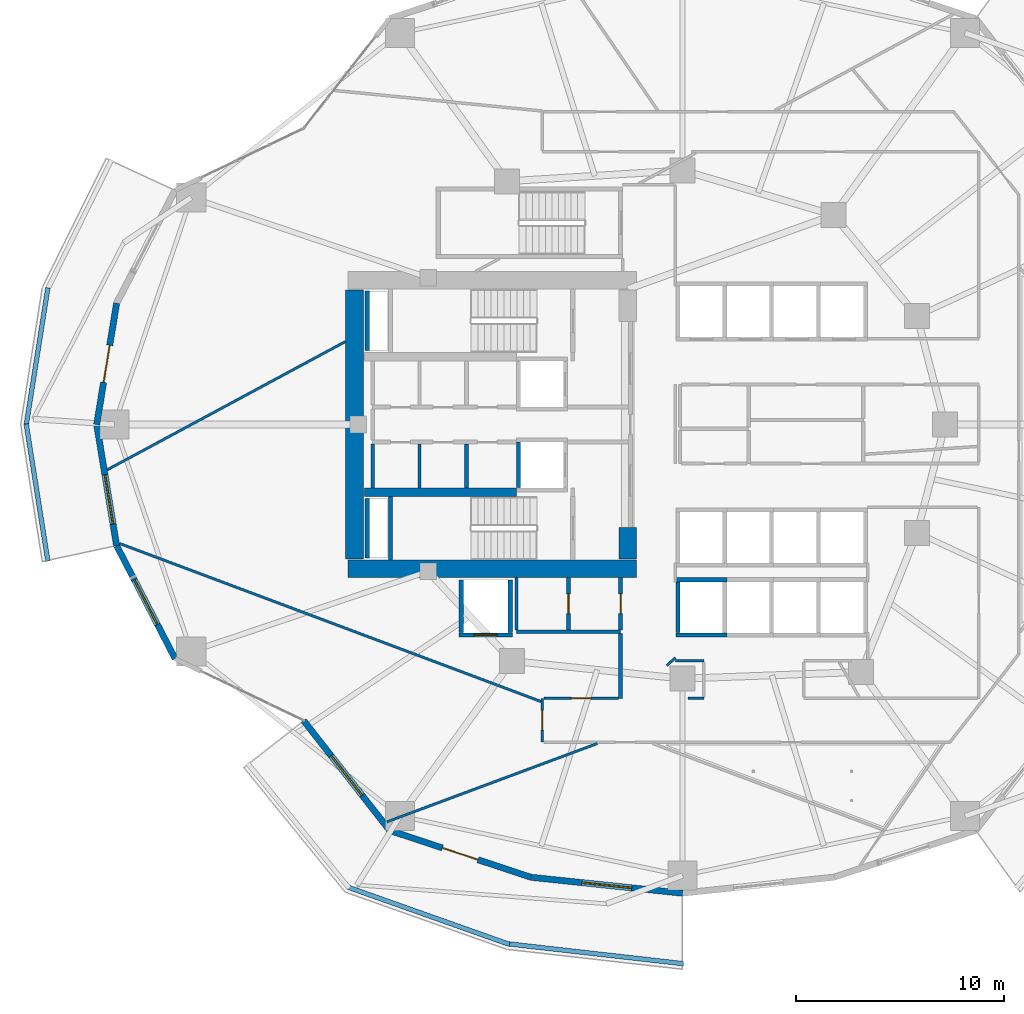
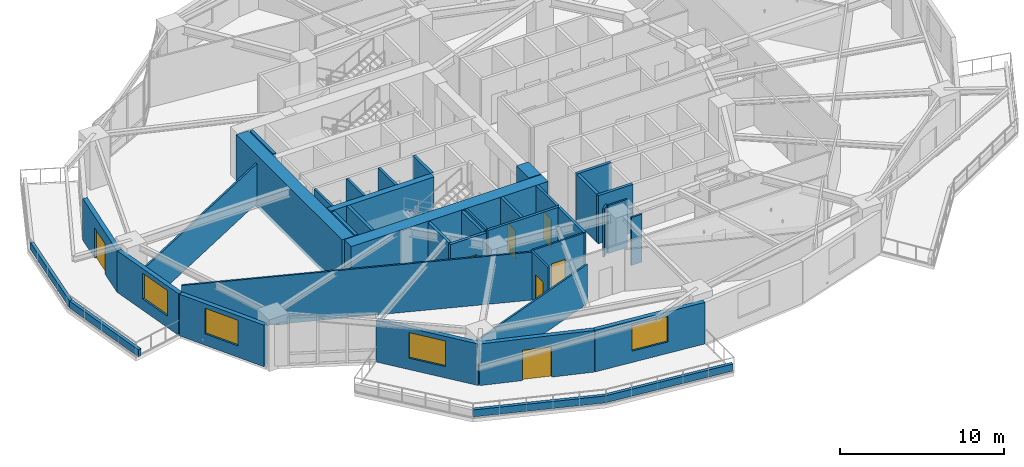
# One storey, part 6 of 19: 40 walls, 7 doors, 4 windows, 11 openings.
"""IFC4 building model written with IfcOpenShell, lengths in metres."""

from ifc_helpers import new_model, si_unit, direction, frame, frame_2d, origin, place, context, subcontext, project, spatial, rectangle, extrude, material, layer, layer_set, type_object, element, fill, save


model = new_model("IFC4")

# Units and contexts
model_context = context("Model", 3, precision=1e-05, world=origin(), true_north=direction((0.0, 1.0)))
body_context = subcontext(model_context, "Body", "Model", "MODEL_VIEW")
ifc_project = project(units=[si_unit("LENGTHUNIT", "METRE"), si_unit("AREAUNIT", "SQUARE_METRE"), si_unit("VOLUMEUNIT", "CUBIC_METRE"), si_unit("PLANEANGLEUNIT", "RADIAN"), si_unit("MASSUNIT", "GRAM", prefix="KILO")], contexts=[model_context])

# Site, building, storey
site_placement = place(None, origin())
site = spatial("IfcSite", under=ifc_project, at=site_placement, CompositionType="ELEMENT")
building_placement = place(site_placement, origin())
building = spatial("IfcBuilding", under=site, at=building_placement, Name="Kolvaren Gate Tower and Convention Centre", CompositionType="ELEMENT")
storey_placement = place(building_placement, frame((0.0, 0.0, 38.050048828125)))
storey = spatial("IfcBuildingStorey", under=building, at=storey_placement, Name="L08", CompositionType="ELEMENT", Elevation=38.050048828125)

# Walls
ifc_material_1 = material(Name="Autoclaved Aerated Masonry Blockwork Class 4 (4.0 MPa)", Category="masonry")
ifc_layer_1 = layer(ifc_material_1, 0.179931640625)
ifc_layer_set_1 = layer_set([ifc_layer_1], Name="Autoclaved Aerated Masonry Blockwork Class 4 (4.0 MPa)")
wall_type_1 = type_object("IfcWallType", Name="ARCH-WL-COMP-180", PredefinedType="SOLIDWALL", material=ifc_layer_set_1)
wall_1_placement = place(storey_placement, frame((19.75, 23.9619140625, 0.0), z_axis=(0.0, 0.0, 1.0), x_axis=(0.0, 1.0, 0.0)))
element("IfcWall", 1, at=wall_1_placement, inside=storey, type_object=wall_type_1, Name="Interior Partition WL-L08-INT-007", PredefinedType="SOLIDWALL", context=body_context, shape_type="SweptSolid", body=[
    extrude(rectangle(XDim=2.106201171875, YDim=0.179931640625, at=frame_2d((1.05322265625, 0.0))), origin(), (0.0, 0.0, 1.0), 3.570068359375),
])
wall_2_placement = place(storey_placement, frame((22.14990234375, 17.050048828125, 0.0), z_axis=(0.0, 0.0, 1.0), x_axis=(1.0, 0.0, 0.0)))
element("IfcWall", 2, at=wall_2_placement, inside=storey, type_object=wall_type_1, Name="Interior Partition WL-L08-INT-011", PredefinedType="SOLIDWALL", context=body_context, shape_type="SweptSolid", body=[
    extrude(rectangle(XDim=5.0, YDim=0.179931640625, at=frame_2d((2.5, 0.0))), origin(), (0.0, 0.0, 1.0), 3.570068359375),
])

# Wall, opening, door
wall_3_placement = place(storey_placement, frame((24.64990234375, 17.14208984375, 0.0), z_axis=(0.0, 0.0, 1.0), x_axis=(0.0, 1.0, 0.0)))
wall_3 = element("IfcWall", 3, at=wall_3_placement, inside=storey, type_object=wall_type_1, Name="Interior Partition WL-L08-INT-013", PredefinedType="SOLIDWALL", context=body_context, shape_type="SweptSolid", body=[
    extrude(rectangle(XDim=2.505859375, YDim=0.179931640625, at=frame_2d((1.2529296875, 0.0))), origin(), (0.0, 0.0, 1.0), 3.570068359375),
])
opening_1_placement = place(wall_3_placement, frame((0.778076171875, 0.0, 0.0)))
opening_1 = element("IfcOpeningElement", 4, at=opening_1_placement, cuts=wall_3, Name="Opening DR-01", PredefinedType="OPENING", context=body_context, shape_type="SweptSolid", body=[
    extrude(rectangle(XDim=0.949951171875, YDim=2.10009765625, at=frame_2d((0.47509765625, 1.050048828125))), frame((0.0, 0.099853515625, 0.0), z_axis=(0.0, -1.0, 0.0), x_axis=(1.0, 0.0, 0.0)), (0.0, 0.0, 1.0), 0.199951171875),
])
ifc_material_2 = material(Name="Painted Architectural Steelwork ASTM A500 Grade C 345 MPa", Category="steel")
door_type_1 = type_object("IfcDoorType", Name="ARCH-DR-RISER-950", OperationType="SINGLE_SWING_RIGHT", PredefinedType="DOOR", material=ifc_material_2)
door_1_placement = place(opening_1_placement, origin())
door_1 = element("IfcDoor", 5, at=door_1_placement, inside=storey, type_object=door_type_1, Name="West Valet Store Door", OperationType="SINGLE_SWING_RIGHT", OverallHeight=2.10009765625, OverallWidth=0.949951171875, PredefinedType="DOOR", context=body_context, shape_type="SweptSolid", body=[
    extrude(rectangle(XDim=0.949951171875, YDim=2.10009765625, at=frame_2d((0.47509765625, 1.050048828125))), frame((0.0, 0.02490234375, 0.0), z_axis=(0.0, -1.0, 0.0), x_axis=(1.0, 0.0, 0.0)), (0.0, 0.0, 1.0), 0.050048828125),
])
fill(opening_1, door_1)

# Wall
wall_4_placement = place(storey_placement, frame((27.14990234375, 13.85009765625, 0.0), z_axis=(0.0, 0.0, 1.0), x_axis=(0.0, 1.0, 0.0)))
element("IfcWall", 6, at=wall_4_placement, inside=storey, type_object=wall_type_1, Name="Interior Partition WL-L08-INT-014", PredefinedType="SOLIDWALL", context=body_context, shape_type="SweptSolid", body=[
    extrude(rectangle(XDim=3.10791015625, YDim=0.179931640625, at=frame_2d((1.553955078125, 0.0))), origin(), (0.0, 0.0, 1.0), 3.570068359375),
])

# Wall, opening, door
wall_5_placement = place(storey_placement, frame((27.14990234375, 17.14208984375, 0.0), z_axis=(0.0, 0.0, 1.0), x_axis=(0.0, 1.0, 0.0)))
wall_5 = element("IfcWall", 7, at=wall_5_placement, inside=storey, type_object=wall_type_1, Name="Interior Partition WL-L08-INT-014 (2)", PredefinedType="SOLIDWALL", context=body_context, shape_type="SweptSolid", body=[
    extrude(rectangle(XDim=2.505859375, YDim=0.179931640625, at=frame_2d((1.2529296875, 0.0))), origin(), (0.0, 0.0, 1.0), 3.570068359375),
])
opening_2_placement = place(wall_5_placement, frame((0.778076171875, 0.0, 0.0)))
opening_2 = element("IfcOpeningElement", 8, at=opening_2_placement, cuts=wall_5, Name="Opening DR-01", PredefinedType="OPENING", context=body_context, shape_type="SweptSolid", body=[
    extrude(rectangle(XDim=0.949951171875, YDim=2.10009765625, at=frame_2d((0.47509765625, 1.050048828125))), frame((0.0, 0.099853515625, 0.0), z_axis=(0.0, -1.0, 0.0), x_axis=(1.0, 0.0, 0.0)), (0.0, 0.0, 1.0), 0.199951171875),
])
door_2_placement = place(opening_2_placement, origin())
door_2 = element("IfcDoor", 9, at=door_2_placement, inside=storey, type_object=door_type_1, Name="Metering Switch Room Door", OperationType="SINGLE_SWING_LEFT", OverallHeight=2.10009765625, OverallWidth=0.949951171875, PredefinedType="DOOR", context=body_context, shape_type="SweptSolid", body=[
    extrude(rectangle(XDim=0.949951171875, YDim=2.10009765625, at=frame_2d((0.47509765625, 1.050048828125))), frame((0.0, 0.02490234375, 0.0), z_axis=(0.0, -1.0, 0.0), x_axis=(1.0, 0.0, 0.0)), (0.0, 0.0, 1.0), 0.050048828125),
])
fill(opening_2, door_2)

ifc_material_3 = material(Name="Fire-Rated Acoustic Gypsum Stud Partition", Category="gypsum")
ifc_layer_2 = layer(ifc_material_3, 0.1201171875)
ifc_layer_set_2 = layer_set([ifc_layer_2], Name="Fire-Rated Acoustic Gypsum Stud Partition")
wall_type_2 = type_object("IfcWallType", Name="ARCH-WL-PART-120", PredefinedType="PARTITIONING", material=ifc_layer_set_2)
wall_6_placement = place(storey_placement, frame((23.39990234375, 11.75, 0.0), z_axis=(0.0, 0.0, 1.0), x_axis=(0.0, 1.0, 0.0)))
wall_6 = element("IfcWall", 10, at=wall_6_placement, inside=storey, type_object=wall_type_2, Name="Interior Partition WL-L08-INT-031", PredefinedType="PARTITIONING", context=body_context, shape_type="SweptSolid", body=[
    extrude(rectangle(XDim=2.10009765625, YDim=0.1201171875, at=frame_2d((1.050048828125, 0.0))), origin(), (0.0, 0.0, 1.0), 3.570068359375),
])
opening_3_placement = place(wall_6_placement, frame((0.574951171875, 0.0, 0.0)))
opening_3 = element("IfcOpeningElement", 11, at=opening_3_placement, cuts=wall_6, Name="Opening DR-01", PredefinedType="OPENING", context=body_context, shape_type="SweptSolid", body=[
    extrude(rectangle(XDim=0.949951171875, YDim=2.10009765625, at=frame_2d((0.47509765625, 1.050048828125))), frame((0.0, 0.070068359375, 0.0), z_axis=(0.0, -1.0, 0.0), x_axis=(1.0, 0.0, 0.0)), (0.0, 0.0, 1.0), 0.14013671875),
])
door_3_placement = place(opening_3_placement, origin())
door_3 = element("IfcDoor", 12, at=door_3_placement, inside=storey, type_object=door_type_1, Name="Conference and Training Seminar Room Door", OperationType="SINGLE_SWING_LEFT", OverallHeight=2.10009765625, OverallWidth=0.949951171875, PredefinedType="DOOR", context=body_context, shape_type="SweptSolid", body=[
    extrude(rectangle(XDim=0.949951171875, YDim=2.10009765625, at=frame_2d((0.47509765625, 1.050048828125))), frame((0.0, 0.02490234375, 0.0), z_axis=(0.0, -1.0, 0.0), x_axis=(1.0, 0.0, 0.0)), (0.0, 0.0, 1.0), 0.050048828125),
])
fill(opening_3, door_3)

wall_7_placement = place(storey_placement, frame((23.4619140625, 13.85009765625, 0.0), z_axis=(0.0, 0.0, 1.0), x_axis=(1.0, 0.0, 0.0)))
wall_7 = element("IfcWall", 13, at=wall_7_placement, inside=storey, type_object=wall_type_2, Name="Interior Partition WL-L08-INT-038", PredefinedType="PARTITIONING", context=body_context, shape_type="SweptSolid", body=[
    extrude(rectangle(XDim=3.59619140625, YDim=0.1201171875, at=frame_2d((1.798095703125, 0.0))), origin(), (0.0, 0.0, 1.0), 3.570068359375),
])
opening_4_placement = place(wall_7_placement, frame((1.322998046875, 0.0, 0.0)))
opening_4 = element("IfcOpeningElement", 14, at=opening_4_placement, cuts=wall_7, Name="Opening DR-01", PredefinedType="OPENING", context=body_context, shape_type="SweptSolid", body=[
    extrude(rectangle(XDim=0.949951171875, YDim=2.10009765625, at=frame_2d((0.47509765625, 1.050048828125))), frame((0.0, 0.070068359375, 0.0), z_axis=(0.0, -1.0, 0.0), x_axis=(1.0, 0.0, 0.0)), (0.0, 0.0, 1.0), 0.14013671875),
])
door_4_placement = place(opening_4_placement, origin())
door_4 = element("IfcDoor", 15, at=door_4_placement, inside=storey, type_object=door_type_1, Name="Conference and Training Seminar Room Door", OperationType="SINGLE_SWING_RIGHT", OverallHeight=2.10009765625, OverallWidth=0.949951171875, PredefinedType="DOOR", context=body_context, shape_type="SweptSolid", body=[
    extrude(rectangle(XDim=0.949951171875, YDim=2.10009765625, at=frame_2d((0.47509765625, 1.050048828125))), frame((0.0, 0.02490234375, 0.0), z_axis=(0.0, -1.0, 0.0), x_axis=(1.0, 0.0, 0.0)), (0.0, 0.0, 1.0), 0.050048828125),
])
fill(opening_4, door_4)

# Walls
wall_8_placement = place(storey_placement, frame((30.39111328125, 13.85009765625, 0.0), z_axis=(0.0, 0.0, 1.0), x_axis=(1.0, 0.0, 0.0)))
element("IfcWall", 16, at=wall_8_placement, inside=storey, type_object=wall_type_2, Name="Interior Partition WL-L08-INT-039", PredefinedType="PARTITIONING", context=body_context, shape_type="SweptSolid", body=[
    extrude(rectangle(XDim=0.7587890625, YDim=0.1201171875, at=frame_2d((0.37939453125, 0.0))), origin(), (0.0, 0.0, 1.0), 3.570068359375),
])
wall_9_placement = place(storey_placement, frame((29.780029296875, 15.64990234375, 0.0), z_axis=(0.0, 0.0, 1.0), x_axis=(1.0, 0.0, 0.0)))
element("IfcWall", 17, at=wall_9_placement, inside=storey, type_object=wall_type_2, Name="Interior Partition WL-L08-INT-043", PredefinedType="PARTITIONING", context=body_context, shape_type="SweptSolid", body=[
    extrude(rectangle(XDim=1.369873046875, YDim=0.1201171875, at=frame_2d((0.68505859375, 0.0))), origin(), (0.0, 0.0, 1.0), 3.570068359375),
])
wall_10_placement = place(storey_placement, frame((29.366943359375, 15.422119140625, 0.0), z_axis=(0.0, 0.0, 1.0), x_axis=(0.730667420492, 0.682733564893, 0.0)))
element("IfcWall", 18, at=wall_10_placement, inside=storey, type_object=wall_type_2, Name="Interior Partition WL-L08-INT-048", PredefinedType="PARTITIONING", context=body_context, shape_type="SweptSolid", body=[
    extrude(rectangle(XDim=0.5654296875, YDim=0.1201171875, at=frame_2d((0.28271484375, 0.0))), origin(), (0.0, 0.0, 1.0), 3.570068359375),
])
wall_11_placement = place(storey_placement, frame((2.51123046875, 24.8291015625, 0.0), z_axis=(0.0, 0.0, 1.0), x_axis=(0.880496447335, 0.474052746253, 0.0)))
element("IfcWall", 19, at=wall_11_placement, inside=storey, type_object=wall_type_2, Name="Interior Partition WL-L08-INT-050", PredefinedType="PARTITIONING", context=body_context, shape_type="SweptSolid", body=[
    extrude(rectangle(XDim=12.989013671875, YDim=0.1201171875, at=frame_2d((6.49462890625, 0.0))), origin(), (0.0, 0.0, 1.0), 2.933837890625),
])
wall_12_placement = place(storey_placement, frame((3.09375, 21.289794921875, 0.0), z_axis=(0.0, 0.0, 1.0), x_axis=(0.936344026666, -0.35108384145, 0.0)))
element("IfcWall", 20, at=wall_12_placement, inside=storey, type_object=wall_type_2, Name="Interior Partition WL-L08-INT-054", PredefinedType="PARTITIONING", context=body_context, shape_type="SweptSolid", body=[
    extrude(rectangle(XDim=21.620361328125, YDim=0.1201171875, at=frame_2d((10.81005859375, 0.0))), origin(), (0.0, 0.0, 1.0), 3.570068359375),
])
wall_13_placement = place(storey_placement, frame((15.932373046875, 7.92724609375, 0.0), z_axis=(0.0, 0.0, 1.0), x_axis=(0.937141242974, 0.348950269689, 0.0)))
element("IfcWall", 21, at=wall_13_placement, inside=storey, type_object=wall_type_2, Name="Interior Partition WL-L08-INT-056", PredefinedType="PARTITIONING", context=body_context, shape_type="SweptSolid", body=[
    extrude(rectangle(XDim=10.77734375, YDim=0.1201171875, at=frame_2d((5.388671875, 0.0))), origin(), (0.0, 0.0, 1.0), 2.933837890625),
])
ifc_material_4 = material(Name="Piedmont Cream Honed Limestone Cladding", Category="masonry")
ifc_layer_3 = layer(ifc_material_4, 0.219970703125)
ifc_layer_set_3 = layer_set([ifc_layer_3], Name="Piedmont Cream Honed Limestone Cladding")
wall_type_3 = type_object("IfcWallType", Name="ARCH-WL-PLANTER-220", PredefinedType="PARAPET", material=ifc_layer_set_3)
for number, where, z_axis, x_axis, name in (
    (22, (-1.381591796875, 26.970703125, 0.0), (0.0, 0.0, 1.0), (0.155842315528, 0.987781945923, 0.0), "Vertical-Forest Balcony Stone Planter Kerb PK-L08-2.2"),
    (23, (-1.381591796875, 27.029296875, 0.0), (0.0, 0.0, 1.0), (0.155842315528, -0.987781945923, 0.0), "Vertical-Forest Balcony Stone Planter Kerb PK-L08-2.3"),
):
    element("IfcWall", number, at=place(storey_placement, frame(where, z_axis=z_axis, x_axis=x_axis)), inside=storey, type_object=wall_type_3, Name=name, PredefinedType="PARAPET", context=body_context, shape_type="SweptSolid", body=[
        extrude(rectangle(XDim=6.672119140625, YDim=0.219970703125, at=frame_2d((3.3359375, 0.0))), origin(), (0.0, 0.0, 1.0), 0.52001953125),
    ])
wall_14_placement = place(storey_placement, frame((14.04931640625, 4.79541015625, 0.0), z_axis=(0.0, 0.0, 1.0), x_axis=(0.942581348797, -0.333976647237, 0.0)))
element("IfcWall", 24, at=wall_14_placement, inside=storey, type_object=wall_type_3, Name="Vertical-Forest Balcony Stone Planter Kerb PK-L08-3.2", PredefinedType="PARAPET", context=body_context, shape_type="SweptSolid", body=[
    extrude(rectangle(XDim=8.235595703125, YDim=0.219970703125, at=frame_2d((4.11767578125, 0.0))), origin(), (0.0, 0.0, 1.0), 0.52001953125),
])
wall_15_placement = place(storey_placement, frame((21.728759765625, 2.072509765625, 0.0), z_axis=(0.0, 0.0, 1.0), x_axis=(0.993644541351, -0.112563428535, 0.0)))
element("IfcWall", 25, at=wall_15_placement, inside=storey, type_object=wall_type_3, Name="Vertical-Forest Balcony Stone Planter Kerb PK-L08-3.3", PredefinedType="PARAPET", context=body_context, shape_type="SweptSolid", body=[
    extrude(rectangle(XDim=8.49560546875, YDim=0.219970703125, at=frame_2d((4.247802734375, 0.0))), origin(), (0.0, 0.0, 1.0), 0.52001953125),
])
ifc_layer_4 = layer(ifc_material_1, 0.199951171875)
ifc_layer_set_4 = layer_set([ifc_layer_4], Name="Autoclaved Aerated Masonry Blockwork Class 4 (4.0 MPa)")
wall_type_4 = type_object("IfcWallType", Name="ARCH-WL-SHAFT-200", PredefinedType="SOLIDWALL", material=ifc_layer_set_4)
wall_16_placement = place(storey_placement, frame((22.25, 23.969970703125, 0.0), z_axis=(0.0, 0.0, 1.0), x_axis=(0.0, 1.0, 0.0)))
element("IfcWall", 26, at=wall_16_placement, inside=storey, type_object=wall_type_4, Name="Elevator FF-02 L08 Fire Shaft Wall W", PredefinedType="SOLIDWALL", context=body_context, shape_type="SweptSolid", body=[
    extrude(rectangle(XDim=2.179931640625, YDim=0.199951171875, at=frame_2d((1.08984375, 0.0))), origin(), (0.0, 0.0, 1.0), 3.570068359375),
])

# Wall, opening, door
wall_17_placement = place(storey_placement, frame((19.39990234375, 16.89990234375, 0.0), z_axis=(0.0, 0.0, 1.0), x_axis=(1.0, 0.0, 0.0)))
wall_17 = element("IfcWall", 27, at=wall_17_placement, inside=storey, type_object=wall_type_4, Name="Elevator SV-01 L08 Fire Shaft Wall S", PredefinedType="SOLIDWALL", context=body_context, shape_type="SweptSolid", body=[
    extrude(rectangle(XDim=2.550048828125, YDim=0.199951171875, at=frame_2d((1.27490234375, 0.0))), origin(), (0.0, 0.0, 1.0), 3.570068359375),
])
opening_5_placement = place(wall_17_placement, frame((0.72509765625, 0.0, 0.0)))
opening_5 = element("IfcOpeningElement", 28, at=opening_5_placement, cuts=wall_17, Name="Opening LD", PredefinedType="OPENING", context=body_context, shape_type="SweptSolid", body=[
    extrude(rectangle(XDim=1.10009765625, YDim=2.199951171875, at=frame_2d((0.550048828125, 1.10009765625))), frame((0.0, 0.10986328125, 0.0), z_axis=(0.0, -1.0, 0.0), x_axis=(1.0, 0.0, 0.0)), (0.0, 0.0, 1.0), 0.219970703125),
])
ifc_material_5 = material(Name="Brushed Stainless Steel Grade 316L", Category="steel")
door_type_2 = type_object("IfcDoorType", Name="ARCH-DR-LIFT-1100", OperationType="SLIDING_TO_LEFT", PredefinedType="DOOR", material=ifc_material_5)
door_5_placement = place(opening_5_placement, origin())
door_5 = element("IfcDoor", 29, at=door_5_placement, inside=storey, type_object=door_type_2, Name="Elevator SV-01 L08 Sliding Landing Door", OperationType="SLIDING_TO_LEFT", OverallHeight=2.199951171875, OverallWidth=1.10009765625, PredefinedType="DOOR", context=body_context, shape_type="SweptSolid", body=[
    extrude(rectangle(XDim=1.10009765625, YDim=2.199951171875, at=frame_2d((0.550048828125, 1.10009765625))), frame((0.0, 0.02490234375, 0.0), z_axis=(0.0, -1.0, 0.0), x_axis=(1.0, 0.0, 0.0)), (0.0, 0.0, 1.0), 0.050048828125),
])
fill(opening_5, door_5)

# Walls
for number, where, z_axis, x_axis, name in (
    (30, (19.5, 17.010009765625, 0.0), (0.0, 0.0, 1.0), (0.0, 1.0, 0.0), "Elevator SV-01 L08 Fire Shaft Wall W"),
    (31, (21.85009765625, 17.010009765625, 0.0), (0.0, 0.0, 1.0), (0.0, 1.0, 0.0), "Elevator SV-01 L08 Fire Shaft Wall E"),
):
    element("IfcWall", number, at=place(storey_placement, frame(where, z_axis=z_axis, x_axis=x_axis)), inside=storey, type_object=wall_type_4, Name=name, PredefinedType="SOLIDWALL", context=body_context, shape_type="SweptSolid", body=[
        extrude(rectangle(XDim=2.530029296875, YDim=0.199951171875, at=frame_2d((1.26513671875, 0.0))), origin(), (0.0, 0.0, 1.0), 3.570068359375),
    ])
for number, where, z_axis, x_axis, name in (
    (32, (29.800048828125, 19.550048828125, 0.0), (0.0, 0.0, 1.0), (1.0, 0.0, 0.0), "Elevator PL-05 L08 Fire Shaft Wall N"),
    (33, (29.800048828125, 16.89990234375, 0.0), (0.0, 0.0, 1.0), (1.0, 0.0, 0.0), "Elevator PL-05 L08 Fire Shaft Wall S"),
):
    element("IfcWall", number, at=place(storey_placement, frame(where, z_axis=z_axis, x_axis=x_axis)), inside=storey, type_object=wall_type_4, Name=name, PredefinedType="SOLIDWALL", context=body_context, shape_type="SweptSolid", body=[
        extrude(rectangle(XDim=2.449951171875, YDim=0.199951171875, at=frame_2d((1.22509765625, 0.0))), origin(), (0.0, 0.0, 1.0), 3.570068359375),
    ])
wall_18_placement = place(storey_placement, frame((29.89990234375, 17.010009765625, 0.0), z_axis=(0.0, 0.0, 1.0), x_axis=(0.0, 1.0, 0.0)))
element("IfcWall", 34, at=wall_18_placement, inside=storey, type_object=wall_type_4, Name="Elevator PL-05 L08 Fire Shaft Wall W", PredefinedType="SOLIDWALL", context=body_context, shape_type="SweptSolid", body=[
    extrude(rectangle(XDim=2.429931640625, YDim=0.199951171875, at=frame_2d((1.21484375, 0.0))), origin(), (0.0, 0.0, 1.0), 3.570068359375),
])
for number, where, z_axis, x_axis, name in (
    (35, (14.989990234375, 30.550048828125, 0.0), (0.0, 0.0, 1.0), (0.0, 1.0, 0.0), "Vertical Shaft HVR L08 EI-120 Enclosure Wall W"),
    (36, (14.989990234375, 20.60009765625, 0.0), (0.0, 0.0, 1.0), (0.0, 1.0, 0.0), "Vertical Shaft MPR L08 EI-120 Enclosure Wall W"),
):
    element("IfcWall", number, at=place(storey_placement, frame(where, z_axis=z_axis, x_axis=x_axis)), inside=storey, type_object=wall_type_4, Name=name, PredefinedType="SOLIDWALL", context=body_context, shape_type="SweptSolid", body=[
        extrude(rectangle(XDim=2.849853515625, YDim=0.199951171875, at=frame_2d((1.4248046875, 0.0))), origin(), (0.0, 0.0, 1.0), 3.570068359375),
    ])

# Wall, opening, door
ifc_layer_5 = layer(ifc_material_4, 0.300048828125)
ifc_layer_set_5 = layer_set([ifc_layer_5], Name="Piedmont Cream Honed Limestone Cladding")
wall_type_5 = type_object("IfcWallType", Name="ARCH-WL-STONE-300", PredefinedType="SOLIDWALL", material=ifc_layer_set_5)
wall_19_placement = place(storey_placement, frame((2.0, 27.0, 0.0), z_axis=(0.0, 0.0, 1.0), x_axis=(0.162366057843, 0.98673059305, 0.0)))
wall_19 = element("IfcWall", 37, at=wall_19_placement, inside=storey, type_object=wall_type_5, Name="Tower L08 Honed Stone Spandrel Wall EW-11", PredefinedType="SOLIDWALL", context=body_context, shape_type="SweptSolid", body=[
    extrude(rectangle(XDim=5.90185546875, YDim=0.300048828125, at=frame_2d((2.950927734375, 0.0))), origin(), (0.0, 0.0, 1.0), 3.093017578125),
])
opening_6_placement = place(wall_19_placement, frame((2.051025390625, 0.0, 0.0)))
opening_6 = element("IfcOpeningElement", 38, at=opening_6_placement, cuts=wall_19, Name="Opening DB-01", PredefinedType="OPENING", context=body_context, shape_type="SweptSolid", body=[
    extrude(rectangle(XDim=1.800048828125, YDim=2.25, at=frame_2d((0.89990234375, 1.125))), frame((0.0, 0.159912109375, 0.0), z_axis=(0.0, -1.0, 0.0), x_axis=(1.0, 0.0, 0.0)), (0.0, 0.0, 1.0), 0.320068359375),
])
ifc_material_6 = material(Name="Anodized Architectural Aluminium Alloy 6063-T6", Category="aluminium")
door_type_3 = type_object("IfcDoorType", Name="ARCH-DR-BALC-1800", OperationType="SLIDING_TO_LEFT", PredefinedType="DOOR", material=ifc_material_6)
door_6_placement = place(opening_6_placement, origin())
door_6 = element("IfcDoor", 39, at=door_6_placement, inside=storey, type_object=door_type_3, Name="Planted Sky Terrace Access Door DB-L08-11", OperationType="SLIDING_TO_LEFT", OverallHeight=2.25, OverallWidth=1.800048828125, PredefinedType="DOOR", context=body_context, shape_type="SweptSolid", body=[
    extrude(rectangle(XDim=1.800048828125, YDim=2.25, at=frame_2d((0.89990234375, 1.125))), frame((0.0, 0.02490234375, 0.0), z_axis=(0.0, -1.0, 0.0), x_axis=(1.0, 0.0, 0.0)), (0.0, 0.0, 1.0), 0.050048828125),
])
fill(opening_6, door_6)

# Wall, opening, window
wall_20_placement = place(storey_placement, frame((2.0, 27.0, 0.0), z_axis=(0.0, 0.0, 1.0), x_axis=(0.162366057843, -0.98673059305, 0.0)))
wall_20 = element("IfcWall", 40, at=wall_20_placement, inside=storey, type_object=wall_type_5, Name="Tower L08 Honed Stone Spandrel Wall EW-12", PredefinedType="SOLIDWALL", context=body_context, shape_type="SweptSolid", body=[
    extrude(rectangle(XDim=5.90185546875, YDim=0.300048828125, at=frame_2d((2.950927734375, 0.0))), origin(), (0.0, 0.0, 1.0), 3.093017578125),
])
opening_7_placement = place(wall_20_placement, frame((2.449951171875, 0.0, 0.85009765625)))
opening_7 = element("IfcOpeningElement", 41, at=opening_7_placement, cuts=wall_20, Name="Opening W-01", PredefinedType="OPENING", context=body_context, shape_type="SweptSolid", body=[
    extrude(rectangle(XDim=2.39990234375, YDim=1.89990234375, at=frame_2d((1.199951171875, 0.949951171875))), frame((0.0, 0.159912109375, 0.0), z_axis=(0.0, -1.0, 0.0), x_axis=(1.0, 0.0, 0.0)), (0.0, 0.0, 1.0), 0.320068359375),
])
ifc_material_7 = material(Name="Low-E Triple Insulated Glazing Unit 44 mm", Category="glass")
window_type = type_object("IfcWindowType", Name="ARCH-WN-OFF-2400", PartitioningType="SINGLE_PANEL", PredefinedType="WINDOW", material=ifc_material_7)
window_1_placement = place(opening_7_placement, origin())
window_1 = element("IfcWindow", 42, at=window_1_placement, inside=storey, type_object=window_type, Name="Tower L08 Punched Stone Facade Window W-12", OverallHeight=1.89990234375, OverallWidth=2.39990234375, PartitioningType="SINGLE_PANEL", PredefinedType="WINDOW", context=body_context, shape_type="SweptSolid", body=[
    extrude(rectangle(XDim=2.39990234375, YDim=1.89990234375, at=frame_2d((1.199951171875, 0.949951171875))), frame((0.0, 0.030029296875, 0.0), z_axis=(0.0, -1.0, 0.0), x_axis=(1.0, 0.0, 0.0)), (0.0, 0.0, 1.0), 0.06005859375),
])
fill(opening_7, window_1)

wall_21_placement = place(storey_placement, frame((2.958251953125, 21.176513671875, 0.0), z_axis=(0.0, 0.0, 1.0), x_axis=(0.459809804413, -0.88801742312, 0.0)))
wall_21 = element("IfcWall", 43, at=wall_21_placement, inside=storey, type_object=wall_type_5, Name="Tower L08 Honed Stone Spandrel Wall EW-13", PredefinedType="SOLIDWALL", context=body_context, shape_type="SweptSolid", body=[
    extrude(rectangle(XDim=6.11083984375, YDim=0.300048828125, at=frame_2d((3.055419921875, 0.0))), origin(), (0.0, 0.0, 1.0), 3.093017578125),
])
opening_8_placement = place(wall_21_placement, frame((1.85498046875, 0.0, 0.85009765625)))
opening_8 = element("IfcOpeningElement", 44, at=opening_8_placement, cuts=wall_21, Name="Opening W-01", PredefinedType="OPENING", context=body_context, shape_type="SweptSolid", body=[
    extrude(rectangle(XDim=2.39990234375, YDim=1.89990234375, at=frame_2d((1.199951171875, 0.949951171875))), frame((0.0, 0.159912109375, 0.0), z_axis=(0.0, -1.0, 0.0), x_axis=(1.0, 0.0, 0.0)), (0.0, 0.0, 1.0), 0.320068359375),
])
window_2_placement = place(opening_8_placement, origin())
window_2 = element("IfcWindow", 45, at=window_2_placement, inside=storey, type_object=window_type, Name="Tower L08 Punched Stone Facade Window W-13", OverallHeight=1.89990234375, OverallWidth=2.39990234375, PartitioningType="SINGLE_PANEL", PredefinedType="WINDOW", context=body_context, shape_type="SweptSolid", body=[
    extrude(rectangle(XDim=2.39990234375, YDim=1.89990234375, at=frame_2d((1.199951171875, 0.949951171875))), frame((0.0, 0.030029296875, 0.0), z_axis=(0.0, -1.0, 0.0), x_axis=(1.0, 0.0, 0.0)), (0.0, 0.0, 1.0), 0.06005859375),
])
fill(opening_8, window_2)

wall_22_placement = place(storey_placement, frame((11.934814453125, 12.787109375, 0.0), z_axis=(0.0, 0.0, 1.0), x_axis=(0.616421309777, -0.787416515482, 0.0)))
wall_22 = element("IfcWall", 46, at=wall_22_placement, inside=storey, type_object=wall_type_5, Name="Tower L08 Honed Stone Spandrel Wall EW-15", PredefinedType="SOLIDWALL", context=body_context, shape_type="SweptSolid", body=[
    extrude(rectangle(XDim=6.6962890625, YDim=0.300048828125, at=frame_2d((3.34814453125, 0.0))), origin(), (0.0, 0.0, 1.0), 3.093017578125),
])
opening_9_placement = place(wall_22_placement, frame((2.14794921875, 0.0, 0.85009765625)))
opening_9 = element("IfcOpeningElement", 47, at=opening_9_placement, cuts=wall_22, Name="Opening W-01", PredefinedType="OPENING", context=body_context, shape_type="SweptSolid", body=[
    extrude(rectangle(XDim=2.39990234375, YDim=1.89990234375, at=frame_2d((1.199951171875, 0.949951171875))), frame((0.0, 0.159912109375, 0.0), z_axis=(0.0, -1.0, 0.0), x_axis=(1.0, 0.0, 0.0)), (0.0, 0.0, 1.0), 0.320068359375),
])
window_3_placement = place(opening_9_placement, origin())
window_3 = element("IfcWindow", 48, at=window_3_placement, inside=storey, type_object=window_type, Name="Tower L08 Punched Stone Facade Window W-15", OverallHeight=1.89990234375, OverallWidth=2.39990234375, PartitioningType="SINGLE_PANEL", PredefinedType="WINDOW", context=body_context, shape_type="SweptSolid", body=[
    extrude(rectangle(XDim=2.39990234375, YDim=1.89990234375, at=frame_2d((1.199951171875, 0.949951171875))), frame((0.0, 0.030029296875, 0.0), z_axis=(0.0, -1.0, 0.0), x_axis=(1.0, 0.0, 0.0)), (0.0, 0.0, 1.0), 0.06005859375),
])
fill(opening_9, window_3)

# Wall, opening, door
wall_23_placement = place(storey_placement, frame((16.0625, 7.514404296875, 0.0), z_axis=(0.0, 0.0, 1.0), x_axis=(0.949238715533, -0.31455661006, 0.0)))
wall_23 = element("IfcWall", 49, at=wall_23_placement, inside=storey, type_object=wall_type_5, Name="Tower L08 Honed Stone Spandrel Wall EW-16", PredefinedType="SOLIDWALL", context=body_context, shape_type="SweptSolid", body=[
    extrude(rectangle(XDim=7.14599609375, YDim=0.300048828125, at=frame_2d((3.572998046875, 0.0))), origin(), (0.0, 0.0, 1.0), 3.093017578125),
])
opening_10_placement = place(wall_23_placement, frame((2.673095703125, 0.0, 0.0)))
opening_10 = element("IfcOpeningElement", 50, at=opening_10_placement, cuts=wall_23, Name="Opening DB-01", PredefinedType="OPENING", context=body_context, shape_type="SweptSolid", body=[
    extrude(rectangle(XDim=1.800048828125, YDim=2.25, at=frame_2d((0.89990234375, 1.125))), frame((0.0, 0.159912109375, 0.0), z_axis=(0.0, -1.0, 0.0), x_axis=(1.0, 0.0, 0.0)), (0.0, 0.0, 1.0), 0.320068359375),
])
door_7_placement = place(opening_10_placement, frame((1.800048828125, 0.0, 0.0), z_axis=(0.0, 0.0, 1.0), x_axis=(-1.0, 0.0, 0.0)))
door_7 = element("IfcDoor", 51, at=door_7_placement, inside=storey, type_object=door_type_3, Name="Planted Sky Terrace Access Door DB-L08-16", OperationType="SLIDING_TO_LEFT", OverallHeight=2.25, OverallWidth=1.800048828125, PredefinedType="DOOR", context=body_context, shape_type="SweptSolid", body=[
    extrude(rectangle(XDim=1.800048828125, YDim=2.25, at=frame_2d((0.89990234375, 1.125))), frame((0.0, 0.02490234375, 0.0), z_axis=(0.0, -1.0, 0.0), x_axis=(1.0, 0.0, 0.0)), (0.0, 0.0, 1.0), 0.050048828125),
])
fill(opening_10, door_7)

# Wall, opening, window
wall_24_placement = place(storey_placement, frame((22.845703125, 5.2666015625, 0.0), z_axis=(0.0, 0.0, 1.0), x_axis=(0.994500334317, -0.104733399844, 0.0)))
wall_24 = element("IfcWall", 52, at=wall_24_placement, inside=storey, type_object=wall_type_5, Name="Tower L08 Honed Stone Spandrel Wall EW-17", PredefinedType="SOLIDWALL", context=body_context, shape_type="SweptSolid", body=[
    extrude(rectangle(XDim=7.319580078125, YDim=0.300048828125, at=frame_2d((3.65966796875, 0.0))), origin(), (0.0, 0.0, 1.0), 3.093017578125),
])
opening_11_placement = place(wall_24_placement, frame((2.4599609375, 0.0, 0.85009765625)))
opening_11 = element("IfcOpeningElement", 53, at=opening_11_placement, cuts=wall_24, Name="Opening W-01", PredefinedType="OPENING", context=body_context, shape_type="SweptSolid", body=[
    extrude(rectangle(XDim=2.39990234375, YDim=1.89990234375, at=frame_2d((1.199951171875, 0.949951171875))), frame((0.0, 0.159912109375, 0.0), z_axis=(0.0, -1.0, 0.0), x_axis=(1.0, 0.0, 0.0)), (0.0, 0.0, 1.0), 0.320068359375),
])
window_4_placement = place(opening_11_placement, origin())
window_4 = element("IfcWindow", 54, at=window_4_placement, inside=storey, type_object=window_type, Name="Tower L08 Punched Stone Facade Window W-17", OverallHeight=1.89990234375, OverallWidth=2.39990234375, PartitioningType="SINGLE_PANEL", PredefinedType="WINDOW", context=body_context, shape_type="SweptSolid", body=[
    extrude(rectangle(XDim=2.39990234375, YDim=1.89990234375, at=frame_2d((1.199951171875, 0.949951171875))), frame((0.0, 0.030029296875, 0.0), z_axis=(0.0, -1.0, 0.0), x_axis=(1.0, 0.0, 0.0)), (0.0, 0.0, 1.0), 0.06005859375),
])
fill(opening_11, window_4)

# Walls
ifc_material_8 = material(Name="Moisture-Resistant Cement-Board Acoustic Partition", Category="gypsum")
ifc_layer_6 = layer(ifc_material_8, 0.14990234375)
ifc_layer_set_6 = layer_set([ifc_layer_6], Name="Moisture-Resistant Cement-Board Acoustic Partition")
wall_type_6 = type_object("IfcWallType", Name="ARCH-WL-WET-150", PredefinedType="PARTITIONING", material=ifc_layer_set_6)
for number, where, z_axis, x_axis, name in (
    (55, (15.25, 23.9619140625, 0.0), (0.0, 0.0, 1.0), (0.0, 1.0, 0.0), "Interior Partition WL-L08-INT-006"),
    (56, (17.5, 23.9619140625, 0.0), (0.0, 0.0, 1.0), (0.0, 1.0, 0.0), "Interior Partition WL-L08-INT-009"),
):
    element("IfcWall", number, at=place(storey_placement, frame(where, z_axis=z_axis, x_axis=x_axis)), inside=storey, type_object=wall_type_6, Name=name, PredefinedType="PARTITIONING", context=body_context, shape_type="SweptSolid", body=[
        extrude(rectangle(XDim=2.106201171875, YDim=0.14990234375, at=frame_2d((1.05322265625, 0.0))), origin(), (0.0, 0.0, 1.0), 3.570068359375),
    ])
wall_25_placement = place(storey_placement, frame((22.14990234375, 17.14208984375, 0.0), z_axis=(0.0, 0.0, 1.0), x_axis=(0.0, 1.0, 0.0)))
element("IfcWall", 57, at=wall_25_placement, inside=storey, type_object=wall_type_6, Name="Interior Partition WL-L08-INT-012", PredefinedType="PARTITIONING", context=body_context, shape_type="SweptSolid", body=[
    extrude(rectangle(XDim=2.505859375, YDim=0.14990234375, at=frame_2d((1.2529296875, 0.0))), origin(), (0.0, 0.0, 1.0), 3.570068359375),
])
ifc_material_9 = material(Name="Concrete C50/60", Category="concrete")
ifc_layer_7 = layer(ifc_material_9, 0.419921875)
ifc_layer_set_7 = layer_set([ifc_layer_7], Name="Concrete C50/60")
wall_type_7 = type_object("IfcWallType", Name="STR-WL-CONV-420", PredefinedType="SHEAR", material=ifc_layer_set_7)
wall_26_placement = place(storey_placement, frame((14.85009765625, 23.75, -0.280029296875), z_axis=(0.0, 0.0, 1.0), x_axis=(1.0, 0.0, 0.0)))
element("IfcWall", 58, at=wall_26_placement, inside=storey, type_object=wall_type_7, Name="Tower L08 Offset Core Shear Wall WS", PredefinedType="SHEAR", context=body_context, shape_type="SweptSolid", body=[
    extrude(rectangle(XDim=7.2998046875, YDim=0.419921875, at=frame_2d((3.64990234375, 0.0))), origin(), (0.0, 0.0, 1.0), 3.85009765625),
])
ifc_material_10 = material(Name="Concrete C70/85", Category="concrete")
ifc_layer_8 = layer(ifc_material_10, 0.85009765625)
ifc_layer_set_8 = layer_set([ifc_layer_8], Name="Concrete C70/85")
wall_type_8 = type_object("IfcWallType", Name="STR-WL-CORE-850", PredefinedType="SHEAR", material=ifc_layer_set_8)
wall_27_placement = place(storey_placement, frame((14.074951171875, 20.074951171875, -0.280029296875), z_axis=(0.0, 0.0, 1.0), x_axis=(1.0, 0.0, 0.0)))
element("IfcWall", 59, at=wall_27_placement, inside=storey, type_object=wall_type_8, Name="Tower L08 Offset Core Shear Wall S", PredefinedType="SHEAR", context=body_context, shape_type="SweptSolid", body=[
    extrude(rectangle(XDim=13.85009765625, YDim=0.85009765625, at=frame_2d((6.925048828125, 0.0))), origin(), (0.0, 0.0, 1.0), 3.85009765625),
])
wall_28_placement = place(storey_placement, frame((14.375, 20.550048828125, -0.280029296875), z_axis=(0.0, 0.0, 1.0), x_axis=(0.0, 1.0, 0.0)))
element("IfcWall", 60, at=wall_28_placement, inside=storey, type_object=wall_type_8, Name="Tower L08 Offset Core Shear Wall W", PredefinedType="SHEAR", context=body_context, shape_type="SweptSolid", body=[
    extrude(rectangle(XDim=12.89990234375, YDim=0.85009765625, at=frame_2d((6.449951171875, 0.0))), origin(), (0.0, 0.0, 1.0), 3.85009765625),
])
wall_29_placement = place(storey_placement, frame((27.5, 20.550048828125, -0.280029296875), z_axis=(0.0, 0.0, 1.0), x_axis=(0.0, 1.0, 0.0)))
element("IfcWall", 61, at=wall_29_placement, inside=storey, type_object=wall_type_8, Name="Tower L08 Offset Core Shear Wall ES", PredefinedType="SHEAR", context=body_context, shape_type="SweptSolid", body=[
    extrude(rectangle(XDim=1.5, YDim=0.85009765625, at=frame_2d((0.75, 0.0))), origin(), (0.0, 0.0, 1.0), 3.85009765625),
])
ifc_layer_9 = layer(ifc_material_9, 0.199951171875)
ifc_layer_set_9 = layer_set([ifc_layer_9], Name="Concrete C50/60")
wall_type_9 = type_object("IfcWallType", Name="STR-WL-SHAFT-200", PredefinedType="SHEAR", material=ifc_layer_set_9)
wall_30_placement = place(storey_placement, frame((16.10009765625, 20.501953125, -0.280029296875), z_axis=(0.0, 0.0, 1.0), x_axis=(0.0, 1.0, 0.0)))
element("IfcWall", 62, at=wall_30_placement, inside=storey, type_object=wall_type_9, Name="Tower South Exit Stair ST-T2 L08 Structural Shear Enclosure Wall FAR", PredefinedType="SHEAR", context=body_context, shape_type="SweptSolid", body=[
    extrude(rectangle(XDim=3.0361328125, YDim=0.199951171875, at=frame_2d((1.51806640625, 0.0))), origin(), (0.0, 0.0, 1.0), 3.85009765625),
])

save(model, "model.ifc")
